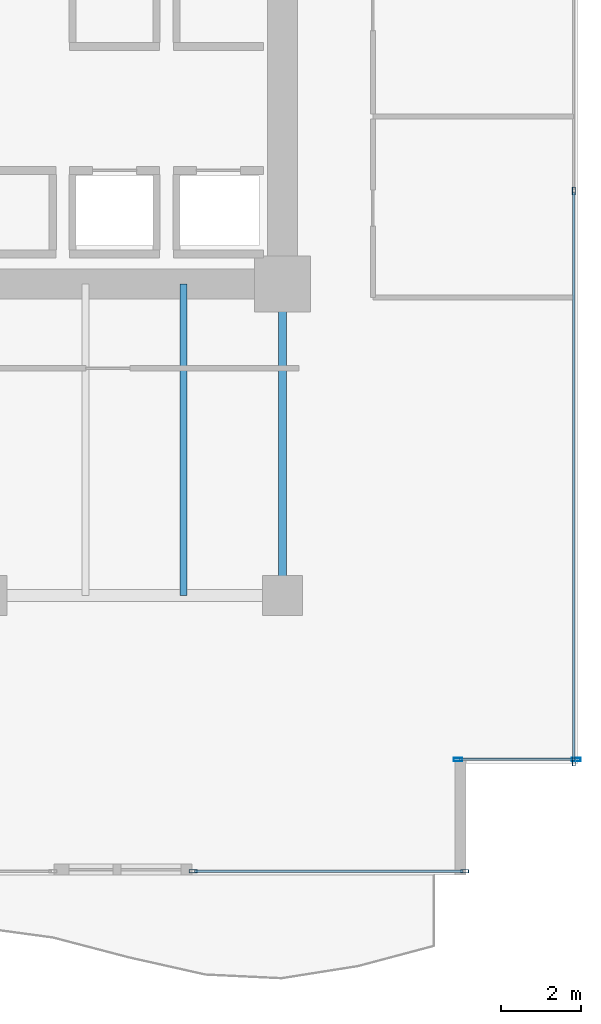
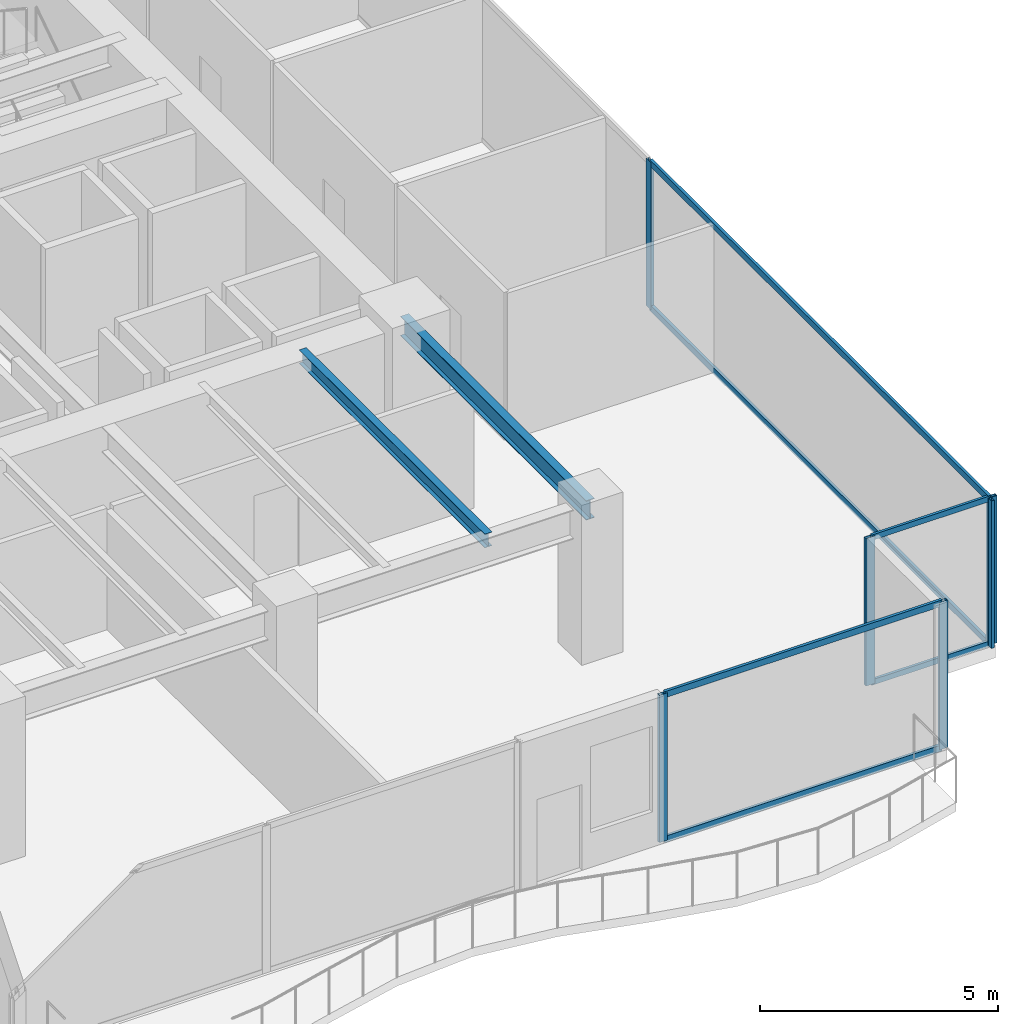
# One storey, part 20 of 31: 12 members, 2 beams, 3 elements without a shape of their own.
"""IFC4 building model written with IfcOpenShell, lengths in metres."""

from ifc_helpers import new_model, si_unit, direction, frame, origin, origin_2d, place, context, subcontext, project, spatial, hollow_rectangle, i_section, extrude, source, transform, mapped, material, layer, layer_set, material_profile, profile_set, type_object, type_shapes, element, aggregate, save


model = new_model("IFC4")

# Units and contexts
model_context = context("Model", 3, precision=1e-05, world=origin(), true_north=direction((0.0, 1.0)))
body_context = subcontext(model_context, "Body", "Model", "MODEL_VIEW")
ifc_project = project(units=[si_unit("LENGTHUNIT", "METRE"), si_unit("AREAUNIT", "SQUARE_METRE"), si_unit("VOLUMEUNIT", "CUBIC_METRE"), si_unit("PLANEANGLEUNIT", "RADIAN"), si_unit("MASSUNIT", "GRAM", prefix="KILO")], contexts=[model_context])

# Site, building, storey
site_placement = place(None, origin())
site = spatial("IfcSite", under=ifc_project, at=site_placement, CompositionType="ELEMENT")
building_placement = place(site_placement, origin())
building = spatial("IfcBuilding", under=site, at=building_placement, Name="Haelvirn Gate Laboratories", CompositionType="ELEMENT")
storey_placement = place(building_placement, frame((0.0, 0.0, 62.10009765625)))
storey = spatial("IfcBuildingStorey", under=building, at=storey_placement, Name="L15", CompositionType="ELEMENT", Elevation=62.10009765625)

# Beams
ifc_material_1 = material(Name="Steel SM355", Category="steel")
ifc_material_profile_1 = material_profile(ifc_material_1, i_section(OverallWidth=0.199951171875, OverallDepth=0.5, WebThickness=0.010009765625, FlangeThickness=0.01611328125, at=origin_2d()), Name="H-500x200x10x16")
ifc_profile_set_1 = profile_set([ifc_material_profile_1], Name="Steel SM355")
beam_type_1 = type_object("IfcBeamType", Name="BM-SP-500", PredefinedType="SPANDREL", material=ifc_profile_set_1)
shared_shape_1 = source(origin(), body_context, "Body", "SweptSolid", [
    extrude(i_section(OverallWidth=0.199951171875, OverallDepth=0.5, WebThickness=0.010009765625, FlangeThickness=0.01611328125, at=origin_2d()), origin(), (0.0, 0.0, 1.0), 7.800048828125),
])
type_shapes(beam_type_1, [shared_shape_1])
beam_1_placement = place(storey_placement, frame((67.39990234375, 7.0, 3.52978515625), z_axis=(0.0, 1.0, 0.0), x_axis=(-1.0, 0.0, 0.0)))
element("IfcBeam", 1, at=beam_1_placement, inside=storey, type_object=beam_type_1, Name="L15 Perimeter Spandrel X67.4 (7.0-14.8)", PredefinedType="SPANDREL", context=body_context, shape_type="MappedRepresentation", body=[
    mapped(shared_shape_1, transform((0.0, 0.0, 0.0), scale=1.0)),
])
ifc_material_profile_2 = material_profile(ifc_material_1, i_section(OverallWidth=0.175048828125, OverallDepth=0.35009765625, WebThickness=0.007080078125, FlangeThickness=0.010986328125, at=origin_2d()), Name="H-350x175x7x11")
ifc_profile_set_2 = profile_set([ifc_material_profile_2], Name="Steel SM355")
beam_type_2 = type_object("IfcBeamType", Name="BM-J-350", PredefinedType="JOIST", material=ifc_profile_set_2)
shared_shape_2 = source(origin(), body_context, "Body", "SweptSolid", [
    extrude(i_section(OverallWidth=0.175048828125, OverallDepth=0.35009765625, WebThickness=0.007080078125, FlangeThickness=0.010986328125, at=origin_2d()), origin(), (0.0, 0.0, 1.0), 7.800048828125),
])
type_shapes(beam_type_2, [shared_shape_2])
beam_2_placement = place(storey_placement, frame((64.929931640625, 7.0, 3.60498046875), z_axis=(0.0, 1.0, 0.0), x_axis=(-1.0, 0.0, 0.0)))
element("IfcBeam", 2, at=beam_2_placement, inside=storey, type_object=beam_type_2, Name="L15 Composite Lab Joist South X64.93", PredefinedType="JOIST", context=body_context, shape_type="MappedRepresentation", body=[
    mapped(shared_shape_2, transform((0.0, 0.0, 0.0), scale=1.0)),
])

# Curtain wall, members
ifc_material_2 = material(Name="Anodised bronze unitised aluminium & triple low-E glass", Category="aluminium")
ifc_layer_1 = layer(ifc_material_2, 0.181884765625, Name="CW-SYS-5")
ifc_layer_set_1 = layer_set([ifc_layer_1], Name="Anodised bronze unitised aluminium & triple low-E glass")
curtain_wall_type_1 = type_object("IfcCurtainWallType", Name="CW-SYS-5", PredefinedType="NOTDEFINED", material=ifc_layer_set_1)
curtain_wall_1_placement = place(storey_placement, origin())
curtain_wall_1 = element("IfcCurtainWall", 3, at=curtain_wall_1_placement, inside=storey, type_object=curtain_wall_type_1, Name="L15 Unitised Curtain Wall CW-L15-P0-E06-1", PredefinedType="NOTDEFINED")
ifc_material_3 = material(Name="Extruded aluminium 6063-T6 (anodised bronze)", Category="aluminium")
ifc_material_profile_3 = material_profile(ifc_material_3, hollow_rectangle(XDim=0.06494140625, YDim=0.139892578125, WallThickness=0.00390625, at=origin_2d()), Name="CWT-140x65x4")
ifc_profile_set_3 = profile_set([ifc_material_profile_3], Name="Extruded aluminium 6063-T6 (anodised bronze)")
member_type_1 = type_object("IfcMemberType", Name="CWT-T140", PredefinedType="USERDEFINED", material=ifc_profile_set_3)
shared_shape_3 = source(origin(), body_context, "Body", "SweptSolid", [
    extrude(hollow_rectangle(XDim=0.06494140625, YDim=0.139892578125, WallThickness=0.00390625, at=origin_2d()), origin(), (0.0, 0.0, 1.0), 2.8798828125),
])
type_shapes(member_type_1, [shared_shape_3])
member_1_placement = place(storey_placement, frame((71.840087890625, 2.89990234375, 0.032470703125), z_axis=(1.0, 0.0, 0.0), x_axis=(0.0, 1.0, 0.0)))
member_1 = element("IfcMember", 4, at=member_1_placement, type_object=member_type_1, Name="CW5 transom 1.1", ObjectType="TRANSOM", PredefinedType="USERDEFINED", context=body_context, shape_type="MappedRepresentation", body=[
    mapped(shared_shape_3, transform((0.0, 0.0, 0.0), scale=1.0)),
])
member_2_placement = place(storey_placement, frame((71.840087890625, 2.89990234375, 3.747314453125), z_axis=(1.0, 0.0, 0.0), x_axis=(0.0, 1.0, 0.0)))
member_2 = element("IfcMember", 5, at=member_2_placement, type_object=member_type_1, Name="CW5 transom 1.2", ObjectType="TRANSOM", PredefinedType="USERDEFINED", context=body_context, shape_type="MappedRepresentation", body=[
    mapped(shared_shape_3, transform((0.0, 0.0, 0.0), scale=1.0)),
])

ifc_layer_2 = layer(ifc_material_2, 0.18408203125, Name="CW-SYS-2")
ifc_layer_set_2 = layer_set([ifc_layer_2], Name="Anodised bronze unitised aluminium & triple low-E glass")
curtain_wall_type_2 = type_object("IfcCurtainWallType", Name="CW-SYS-2", PredefinedType="NOTDEFINED", material=ifc_layer_set_2)
curtain_wall_2_placement = place(storey_placement, origin())
curtain_wall_2 = element("IfcCurtainWall", 6, at=curtain_wall_2_placement, inside=storey, type_object=curtain_wall_type_2, Name="L15 Unitised Curtain Wall CW-L15-P0-E07", PredefinedType="NOTDEFINED")
ifc_material_profile_4 = material_profile(ifc_material_3, hollow_rectangle(XDim=0.070068359375, YDim=0.159912109375, WallThickness=0.0048828125, at=origin_2d()), Name="CWT-160x70x5")
ifc_profile_set_4 = profile_set([ifc_material_profile_4], Name="Extruded aluminium 6063-T6 (anodised bronze)")
member_type_2 = type_object("IfcMemberType", Name="CWT-T160", PredefinedType="USERDEFINED", material=ifc_profile_set_4)
shared_shape_4 = source(origin(), body_context, "Body", "SweptSolid", [
    extrude(hollow_rectangle(XDim=0.070068359375, YDim=0.159912109375, WallThickness=0.0048828125, at=origin_2d()), origin(), (0.0, 0.0, 1.0), 14.220947265625),
])
member_3_placement = place(storey_placement, frame((74.699951171875, 2.875, 0.034912109375), z_axis=(0.0, 1.0, 0.0), x_axis=(-1.0, 0.0, 0.0)))
member_3 = element("IfcMember", 7, at=member_3_placement, type_object=member_type_2, Name="CW2 transom 1.1", ObjectType="TRANSOM", PredefinedType="USERDEFINED", context=body_context, shape_type="MappedRepresentation", body=[
    mapped(shared_shape_4, transform((0.0, 0.0, 0.0), scale=1.0)),
])
member_4_placement = place(storey_placement, frame((74.699951171875, 2.875, 3.744873046875), z_axis=(0.0, 1.0, 0.0), x_axis=(-1.0, 0.0, 0.0)))
member_4 = element("IfcMember", 8, at=member_4_placement, type_object=member_type_2, Name="CW2 transom 1.2", ObjectType="TRANSOM", PredefinedType="USERDEFINED", context=body_context, shape_type="MappedRepresentation", body=[
    mapped(shared_shape_4, transform((0.0, 0.0, 0.0), scale=1.0)),
])

curtain_wall_3_placement = place(storey_placement, origin())
curtain_wall_3 = element("IfcCurtainWall", 9, at=curtain_wall_3_placement, inside=storey, type_object=curtain_wall_type_2, Name="L15 Unitised Curtain Wall CW-L15-P0-E04-2", PredefinedType="NOTDEFINED")
shared_shape_5 = source(origin(), body_context, "Body", "SweptSolid", [
    extrude(hollow_rectangle(XDim=0.070068359375, YDim=0.159912109375, WallThickness=0.0048828125, at=origin_2d()), origin(), (0.0, 0.0, 1.0), 6.719970703125),
])
type_shapes(member_type_2, [shared_shape_4, shared_shape_5])
member_5_placement = place(storey_placement, frame((65.205078125, 0.10009765625, 0.034912109375), z_axis=(1.0, 0.0, 0.0), x_axis=(0.0, 1.0, 0.0)))
member_5 = element("IfcMember", 10, at=member_5_placement, type_object=member_type_2, Name="CW2 transom 1.1", ObjectType="TRANSOM", PredefinedType="USERDEFINED", context=body_context, shape_type="MappedRepresentation", body=[
    mapped(shared_shape_5, transform((0.0, 0.0, 0.0), scale=1.0)),
])
member_6_placement = place(storey_placement, frame((65.205078125, 0.10009765625, 3.744873046875), z_axis=(1.0, 0.0, 0.0), x_axis=(0.0, 1.0, 0.0)))
member_6 = element("IfcMember", 11, at=member_6_placement, type_object=member_type_2, Name="CW2 transom 1.2", ObjectType="TRANSOM", PredefinedType="USERDEFINED", context=body_context, shape_type="MappedRepresentation", body=[
    mapped(shared_shape_5, transform((0.0, 0.0, 0.0), scale=1.0)),
])
ifc_material_profile_5 = material_profile(ifc_material_3, hollow_rectangle(XDim=0.074951171875, YDim=0.199951171875, WallThickness=0.0048828125, at=origin_2d()), Name="CWM-200x75x5")
ifc_profile_set_5 = profile_set([ifc_material_profile_5], Name="Extruded aluminium 6063-T6 (anodised bronze)")
member_type_3 = type_object("IfcMemberType", Name="CWM-T200", PredefinedType="MULLION", material=ifc_profile_set_5)
shared_shape_6 = source(origin(), body_context, "Body", "SweptSolid", [
    extrude(hollow_rectangle(XDim=0.074951171875, YDim=0.199951171875, WallThickness=0.0048828125, at=origin_2d()), origin(), (0.0, 0.0, 1.0), 3.77978515625),
])
type_shapes(member_type_3, [shared_shape_6])
member_7_placement = place(storey_placement, frame((65.16748046875, 0.10009765625, 0.0), z_axis=(0.0, 0.0, 1.0), x_axis=(0.0, 1.0, 0.0)))
member_7 = element("IfcMember", 12, at=member_7_placement, type_object=member_type_3, Name="CW2 mullion 1", PredefinedType="MULLION", context=body_context, shape_type="MappedRepresentation", body=[
    mapped(shared_shape_6, transform((0.0, 0.0, 0.0), scale=1.0)),
])
member_8_placement = place(storey_placement, frame((71.96240234375, 0.10009765625, 0.0), z_axis=(0.0, 0.0, 1.0), x_axis=(0.0, 1.0, 0.0)))
member_8 = element("IfcMember", 13, at=member_8_placement, type_object=member_type_3, Name="CW2 mullion 2", PredefinedType="MULLION", context=body_context, shape_type="MappedRepresentation", body=[
    mapped(shared_shape_6, transform((0.0, 0.0, 0.0), scale=1.0)),
])
aggregate(curtain_wall_3, [member_7, member_8, member_5, member_6])

# Member
member_9_placement = place(storey_placement, frame((74.699951171875, 2.83740234375, 0.0), z_axis=(0.0, 0.0, 1.0), x_axis=(-1.0, 0.0, 0.0)))
member_9 = element("IfcMember", 14, at=member_9_placement, type_object=member_type_3, Name="CW2 mullion 1", PredefinedType="MULLION", context=body_context, shape_type="MappedRepresentation", body=[
    mapped(shared_shape_6, transform((0.0, 0.0, 0.0), scale=1.0)),
])

member_10_placement = place(storey_placement, frame((74.699951171875, 17.13330078125, 0.0), z_axis=(0.0, 0.0, 1.0), x_axis=(-1.0, 0.0, 0.0)))
member_10 = element("IfcMember", 15, at=member_10_placement, type_object=member_type_3, Name="CW2 mullion 2", PredefinedType="MULLION", context=body_context, shape_type="MappedRepresentation", body=[
    mapped(shared_shape_6, transform((0.0, 0.0, 0.0), scale=1.0)),
])

aggregate(curtain_wall_2, [member_9, member_10, member_3, member_4])

ifc_material_profile_6 = material_profile(ifc_material_3, hollow_rectangle(XDim=0.080078125, YDim=0.219970703125, WallThickness=0.006103515625, at=origin_2d()), Name="CWM-220x80x6")
ifc_profile_set_6 = profile_set([ifc_material_profile_6], Name="Extruded aluminium 6063-T6 (anodised bronze)")
member_type_4 = type_object("IfcMemberType", Name="CWM-T220", PredefinedType="MULLION", material=ifc_profile_set_6)
shared_shape_7 = source(origin(), body_context, "Body", "SweptSolid", [
    extrude(hollow_rectangle(XDim=0.080078125, YDim=0.219970703125, WallThickness=0.006103515625, at=origin_2d()), origin(), (0.0, 0.0, 1.0), 3.77978515625),
])
type_shapes(member_type_4, [shared_shape_7])
member_11_placement = place(storey_placement, frame((71.800048828125, 2.89990234375, 0.0), z_axis=(0.0, 0.0, 1.0), x_axis=(0.0, 1.0, 0.0)))
member_11 = element("IfcMember", 16, at=member_11_placement, type_object=member_type_4, Name="CW5 mullion 1", PredefinedType="MULLION", context=body_context, shape_type="MappedRepresentation", body=[
    mapped(shared_shape_7, transform((0.0, 0.0, 0.0), scale=1.0)),
])

member_12_placement = place(storey_placement, frame((74.760009765625, 2.89990234375, 0.0), z_axis=(0.0, 0.0, 1.0), x_axis=(0.0, 1.0, 0.0)))
member_12 = element("IfcMember", 17, at=member_12_placement, type_object=member_type_4, Name="CW5 mullion 2", PredefinedType="MULLION", context=body_context, shape_type="MappedRepresentation", body=[
    mapped(shared_shape_7, transform((0.0, 0.0, 0.0), scale=1.0)),
])

aggregate(curtain_wall_1, [member_11, member_12, member_1, member_2])

save(model, "model.ifc")
